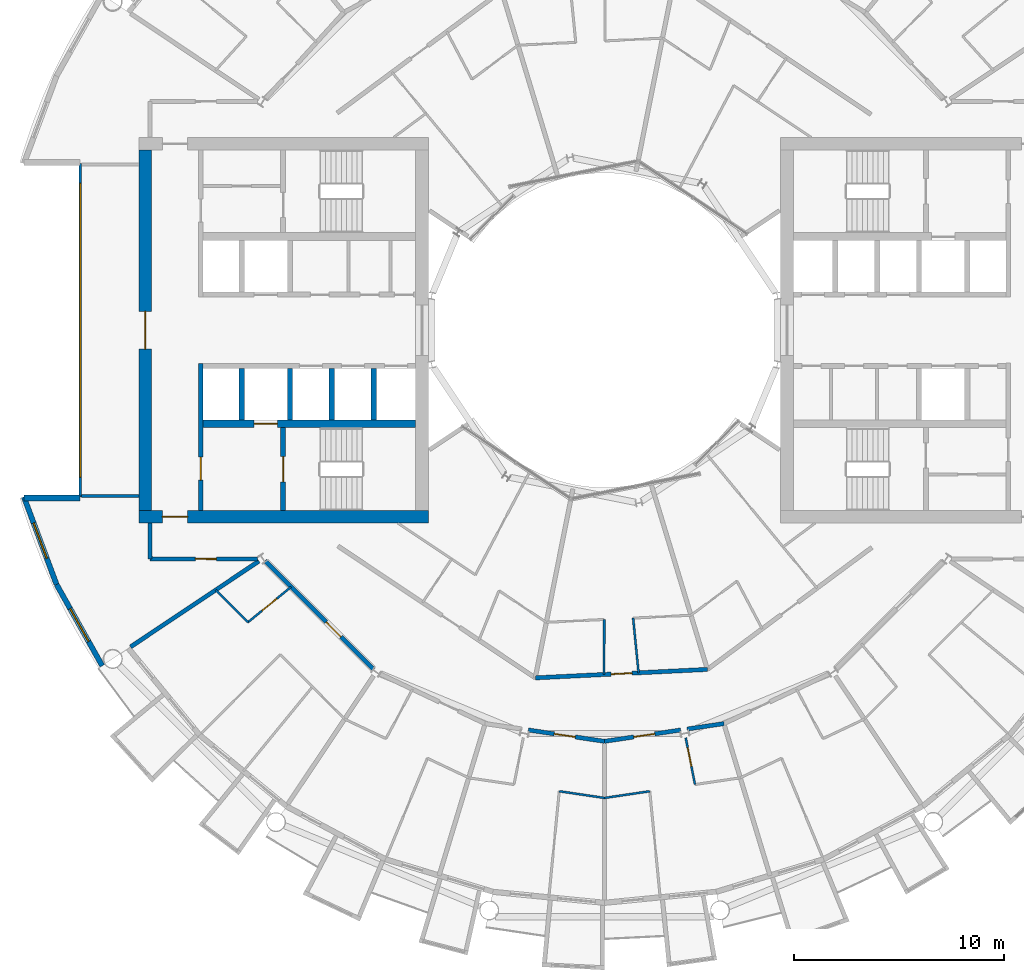
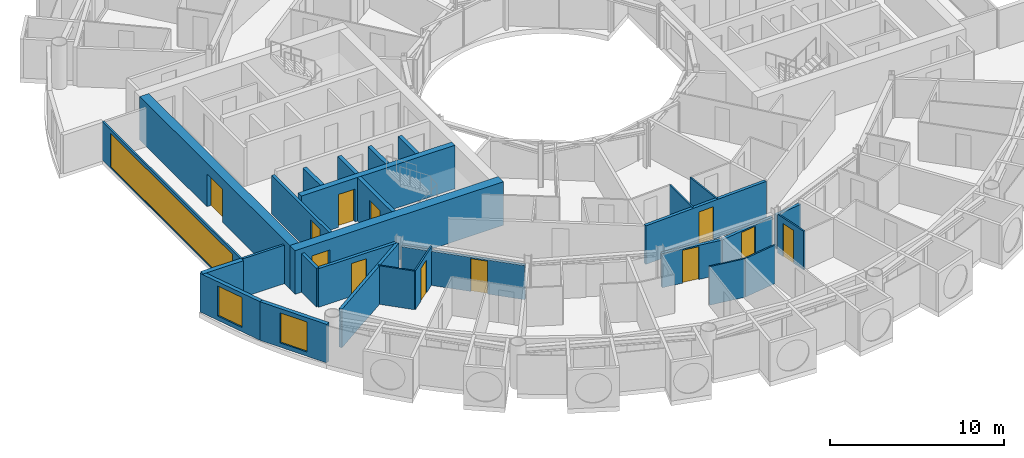
# One storey, part 15 of 26: 29 walls, 12 doors, 3 windows, 15 openings.
"""IFC4 building model written with IfcOpenShell, lengths in metres."""

from ifc_helpers import new_model, si_unit, direction, frame, frame_2d, origin, place, context, subcontext, project, spatial, rectangle, extrude, material, layer, layer_set, type_object, element, fill, save


model = new_model("IFC4")

# Units and contexts
model_context = context("Model", 3, precision=1e-05, world=origin(), true_north=direction((0.0, 1.0)))
body_context = subcontext(model_context, "Body", "Model", "MODEL_VIEW")
ifc_project = project(units=[si_unit("LENGTHUNIT", "METRE"), si_unit("AREAUNIT", "SQUARE_METRE"), si_unit("VOLUMEUNIT", "CUBIC_METRE"), si_unit("PLANEANGLEUNIT", "RADIAN"), si_unit("MASSUNIT", "GRAM", prefix="KILO")], contexts=[model_context])

# Site, building, storey
site_placement = place(None, origin())
site = spatial("IfcSite", under=ifc_project, at=site_placement, CompositionType="ELEMENT")
building_placement = place(site_placement, origin())
building = spatial("IfcBuilding", under=site, at=building_placement, Name="Maasbend Ring Residences", CompositionType="ELEMENT")
storey_placement = place(building_placement, frame((0.0, 0.0, 123.85009765625)))
storey = spatial("IfcBuildingStorey", under=building, at=storey_placement, Name="L35", CompositionType="ELEMENT", Elevation=123.85009765625)

# Wall, opening, door
ifc_material_1 = material(Name="Concrete C60/75", Category="concrete")
ifc_layer_1 = layer(ifc_material_1, 0.25)
ifc_layer_set_1 = layer_set([ifc_layer_1], Name="Concrete C60/75")
wall_type_1 = type_object("IfcWallType", Name="CORE WALL 250 C60/75", PredefinedType="SHEAR", material=ifc_layer_set_1)
wall_1_placement = place(storey_placement, frame((-15.324951171875, -4.64990234375, 0.0), z_axis=(0.0, 0.0, 1.0), x_axis=(0.0, -1.0, 0.0)))
wall_1 = element("IfcWall", 1, at=wall_1_placement, inside=storey, type_object=wall_type_1, Name="L35 core W wall STEN", PredefinedType="SHEAR", context=body_context, shape_type="SweptSolid", body=[
    extrude(rectangle(XDim=3.9501953125, YDim=0.25, at=frame_2d((1.97509765625, 0.0))), origin(), (0.0, 0.0, 1.0), 3.0498046875),
])
opening_1_placement = place(wall_1_placement, frame((1.375, 0.0, 0.0)))
opening_1 = element("IfcOpeningElement", 2, at=opening_1_placement, cuts=wall_1, Name="Opening D-W3510", PredefinedType="OPENING", context=body_context, shape_type="SweptSolid", body=[
    extrude(rectangle(XDim=1.199951171875, YDim=2.300048828125, at=frame_2d((0.60009765625, 1.14990234375))), frame((0.0, 0.135009765625, 0.0), z_axis=(0.0, -1.0, 0.0), x_axis=(1.0, 0.0, 0.0)), (0.0, 0.0, 1.0), 0.27001953125),
])
ifc_material_2 = material(Name="Steel, powder coated", Category="steel")
door_type_1 = type_object("IfcDoorType", Name="STAIR DOOR 1200 X 2300 FD60", OperationType="NOTDEFINED", PredefinedType="DOOR", material=ifc_material_2)
door_1_placement = place(opening_1_placement, origin())
door_1 = element("IfcDoor", 3, at=door_1_placement, inside=storey, type_object=door_type_1, Name="Stair door ST-W L35", OperationType="SINGLE_SWING_LEFT", OverallHeight=2.300048828125, OverallWidth=1.199951171875, PredefinedType="DOOR", context=body_context, shape_type="SweptSolid", body=[
    extrude(rectangle(XDim=1.199951171875, YDim=2.300048828125, at=frame_2d((0.60009765625, 1.14990234375))), frame((0.0, 0.02490234375, 0.0), z_axis=(0.0, -1.0, 0.0), x_axis=(1.0, 0.0, 0.0)), (0.0, 0.0, 1.0), 0.050048828125),
])
fill(opening_1, door_1)

ifc_material_3 = material(Name="Concrete C60/75", Category="concrete")
ifc_layer_2 = layer(ifc_material_3, 0.375)
ifc_layer_set_2 = layer_set([ifc_layer_2], Name="Concrete C60/75")
wall_type_2 = type_object("IfcWallType", Name="CORE WALL 375 C60/75", PredefinedType="SHEAR", material=ifc_layer_set_2)
wall_2_placement = place(storey_placement, frame((-9.0, -4.46240234375, 0.0), z_axis=(0.0, 0.0, 1.0), x_axis=(-1.0, 0.0, 0.0)))
wall_2 = element("IfcWall", 4, at=wall_2_placement, inside=storey, type_object=wall_type_2, Name="L35 core W wall BN", PredefinedType="SHEAR", context=body_context, shape_type="SweptSolid", body=[
    extrude(rectangle(XDim=10.14990234375, YDim=0.375, at=frame_2d((5.074951171875, 0.0))), origin(), (0.0, 0.0, 1.0), 3.0498046875),
])
opening_2_placement = place(wall_2_placement, frame((6.60009765625, 0.0, 0.0)))
opening_2 = element("IfcOpeningElement", 5, at=opening_2_placement, cuts=wall_2, Name="Opening LD-W3504", PredefinedType="OPENING", context=body_context, shape_type="SweptSolid", body=[
    extrude(rectangle(XDim=1.10009765625, YDim=2.300048828125, at=frame_2d((0.550048828125, 1.14990234375))), frame((0.0, 0.197509765625, 0.0), z_axis=(0.0, -1.0, 0.0), x_axis=(1.0, 0.0, 0.0)), (0.0, 0.0, 1.0), 0.39501953125),
])
ifc_material_4 = material(Name="Stainless steel 316", Category="steel")
door_type_2 = type_object("IfcDoorType", Name="LANDING DOOR 1100 X 2300 FD60", OperationType="DOUBLE_DOOR_SLIDING", PredefinedType="DOOR", material=ifc_material_4)
door_2_placement = place(opening_2_placement, origin())
door_2 = element("IfcDoor", 6, at=door_2_placement, inside=storey, type_object=door_type_2, Name="Landing door FF-W L35", OperationType="DOUBLE_DOOR_SLIDING", OverallHeight=2.300048828125, OverallWidth=1.10009765625, PredefinedType="DOOR", context=body_context, shape_type="SweptSolid", body=[
    extrude(rectangle(XDim=1.10009765625, YDim=2.300048828125, at=frame_2d((0.550048828125, 1.14990234375))), frame((0.0, 0.02490234375, 0.0), z_axis=(0.0, -1.0, 0.0), x_axis=(1.0, 0.0, 0.0)), (0.0, 0.0, 1.0), 0.050048828125),
])
fill(opening_2, door_2)

ifc_material_5 = material(Name="Concrete C60/75", Category="concrete")
ifc_layer_3 = layer(ifc_material_5, 0.60009765625)
ifc_layer_set_3 = layer_set([ifc_layer_3], Name="Concrete C60/75")
wall_type_3 = type_object("IfcWallType", Name="CORE WALL 600 C60/75", PredefinedType="SHEAR", material=ifc_layer_set_3)
wall_3_placement = place(storey_placement, frame((-22.199951171875, -8.89990234375, 0.0), z_axis=(0.0, 0.0, 1.0), x_axis=(1.0, 0.0, 0.0)))
wall_3 = element("IfcWall", 7, at=wall_3_placement, inside=storey, type_object=wall_type_3, Name="L35 core W wall PN", PredefinedType="SHEAR", context=body_context, shape_type="SweptSolid", body=[
    extrude(rectangle(XDim=13.800048828125, YDim=0.60009765625, at=frame_2d((6.89990234375, 0.0))), origin(), (0.0, 0.0, 1.0), 3.0498046875),
])
opening_3_placement = place(wall_3_placement, frame((1.125, 0.0, 0.0)))
opening_3 = element("IfcOpeningElement", 8, at=opening_3_placement, cuts=wall_3, Name="Opening D-W3514", PredefinedType="OPENING", context=body_context, shape_type="SweptSolid", body=[
    extrude(rectangle(XDim=1.199951171875, YDim=2.300048828125, at=frame_2d((0.60009765625, 1.14990234375))), frame((0.0, 0.31005859375, 0.0), z_axis=(0.0, -1.0, 0.0), x_axis=(1.0, 0.0, 0.0)), (0.0, 0.0, 1.0), 0.6201171875),
])
ifc_material_6 = material(Name="Steel, powder coated", Category="steel")
door_type_3 = type_object("IfcDoorType", Name="CORRIDOR DOOR 1200 X 2300 FD30S", OperationType="NOTDEFINED", PredefinedType="DOOR", material=ifc_material_6)
door_3_placement = place(opening_3_placement, origin())
door_3 = element("IfcDoor", 9, at=door_3_placement, inside=storey, type_object=door_type_3, Name="Corridor door L35", OperationType="SINGLE_SWING_RIGHT", OverallHeight=2.300048828125, OverallWidth=1.199951171875, PredefinedType="DOOR", context=body_context, shape_type="SweptSolid", body=[
    extrude(rectangle(XDim=1.199951171875, YDim=2.300048828125, at=frame_2d((0.60009765625, 1.14990234375))), frame((0.0, 0.02490234375, 0.0), z_axis=(0.0, -1.0, 0.0), x_axis=(1.0, 0.0, 0.0)), (0.0, 0.0, 1.0), 0.050048828125),
])
fill(opening_3, door_3)

wall_4_placement = place(storey_placement, frame((-21.89990234375, -8.60009765625, 0.0), z_axis=(0.0, 0.0, 1.0), x_axis=(0.0, 1.0, 0.0)))
wall_4 = element("IfcWall", 10, at=wall_4_placement, inside=storey, type_object=wall_type_3, Name="L35 core W wall POUT", PredefinedType="SHEAR", context=body_context, shape_type="SweptSolid", body=[
    extrude(rectangle(XDim=17.2001953125, YDim=0.60009765625, at=frame_2d((8.60009765625, 0.0))), origin(), (0.0, 0.0, 1.0), 3.0498046875),
])
opening_4_placement = place(wall_4_placement, frame((7.699951171875, 0.0, 0.0)))
opening_4 = element("IfcOpeningElement", 11, at=opening_4_placement, cuts=wall_4, Name="Opening D-W3516", PredefinedType="OPENING", context=body_context, shape_type="SweptSolid", body=[
    extrude(rectangle(XDim=1.800048828125, YDim=2.300048828125, at=frame_2d((0.89990234375, 1.14990234375))), frame((0.0, 0.31005859375, 0.0), z_axis=(0.0, -1.0, 0.0), x_axis=(1.0, 0.0, 0.0)), (0.0, 0.0, 1.0), 0.6201171875),
])
ifc_material_7 = material(Name="Aluminium frame, clear glass", Category="aluminium")
door_type_4 = type_object("IfcDoorType", Name="ENTRANCE DOOR 1800 X 2300 FD60", OperationType="NOTDEFINED", PredefinedType="DOOR", material=ifc_material_7)
door_4_placement = place(opening_4_placement, origin())
door_4 = element("IfcDoor", 12, at=door_4_placement, inside=storey, type_object=door_type_4, Name="Lobby glazed door L35", OperationType="SINGLE_SWING_LEFT", OverallHeight=2.300048828125, OverallWidth=1.800048828125, PredefinedType="DOOR", context=body_context, shape_type="SweptSolid", body=[
    extrude(rectangle(XDim=1.800048828125, YDim=2.300048828125, at=frame_2d((0.89990234375, 1.14990234375))), frame((0.0, 0.02490234375, 0.0), z_axis=(0.0, -1.0, 0.0), x_axis=(1.0, 0.0, 0.0)), (0.0, 0.0, 1.0), 0.050048828125),
])
fill(opening_4, door_4)

ifc_material_8 = material(Name="Concrete C30/37", Category="concrete")
ifc_layer_4 = layer(ifc_material_8, 0.199951171875)
ifc_layer_set_4 = layer_set([ifc_layer_4], Name="Concrete C30/37")
wall_type_4 = type_object("IfcWallType", Name="CORRIDOR WALL 200 CONCRETE", PredefinedType="PARTITIONING", material=ifc_layer_set_4)
wall_5_placement = place(storey_placement, frame((-3.635009765625, -19.06005859375, 0.0), z_axis=(0.0, 0.0, 1.0), x_axis=(0.989143454832, -0.146953141385, 0.0)))
wall_5 = element("IfcWall", 13, at=wall_5_placement, inside=storey, type_object=wall_type_4, Name="U-L35-w017", PredefinedType="PARTITIONING", context=body_context, shape_type="SweptSolid", body=[
    extrude(rectangle(XDim=3.6748046875, YDim=0.199951171875, at=frame_2d((1.83740234375, 0.0))), origin(), (0.0, 0.0, 1.0), 2.389892578125),
])
opening_5_placement = place(wall_5_placement, frame((1.258056640625, 0.0, 0.0)))
opening_5 = element("IfcOpeningElement", 14, at=opening_5_placement, cuts=wall_5, Name="Opening D-3539", PredefinedType="OPENING", context=body_context, shape_type="SweptSolid", body=[
    extrude(rectangle(XDim=1.0, YDim=2.300048828125, at=frame_2d((0.5, 1.14990234375))), frame((0.0, 0.10986328125, 0.0), z_axis=(0.0, -1.0, 0.0), x_axis=(1.0, 0.0, 0.0)), (0.0, 0.0, 1.0), 0.219970703125),
])
ifc_material_9 = material(Name="Timber, fire-rated, painted", Category="wood")
door_type_5 = type_object("IfcDoorType", Name="FLAT ENTRANCE DOOR 1000 X 2300 FIRE-RATED", OperationType="NOTDEFINED", PredefinedType="DOOR", material=ifc_material_9)
door_5_placement = place(opening_5_placement, origin())
door_5 = element("IfcDoor", 15, at=door_5_placement, inside=storey, type_object=door_type_5, Name="D-3539", OperationType="SINGLE_SWING_LEFT", OverallHeight=2.300048828125, OverallWidth=1.0, PredefinedType="DOOR", context=body_context, shape_type="SweptSolid", body=[
    extrude(rectangle(XDim=1.0, YDim=2.300048828125, at=frame_2d((0.5, 1.14990234375))), frame((0.0, 0.02490234375, 0.0), z_axis=(0.0, -1.0, 0.0), x_axis=(1.0, 0.0, 0.0)), (0.0, 0.0, 1.0), 0.050048828125),
])
fill(opening_5, door_5)

wall_6_placement = place(storey_placement, frame((0.0, -19.60009765625, 0.0), z_axis=(0.0, 0.0, 1.0), x_axis=(0.989143454832, 0.146953141385, 0.0)))
wall_6 = element("IfcWall", 16, at=wall_6_placement, inside=storey, type_object=wall_type_4, Name="U-L35-w018", PredefinedType="PARTITIONING", context=body_context, shape_type="SweptSolid", body=[
    extrude(rectangle(XDim=3.6748046875, YDim=0.199951171875, at=frame_2d((1.83740234375, 0.0))), origin(), (0.0, 0.0, 1.0), 2.389892578125),
])
opening_6_placement = place(wall_6_placement, frame((1.4169921875, 0.0, 0.0)))
opening_6 = element("IfcOpeningElement", 17, at=opening_6_placement, cuts=wall_6, Name="Opening D-3542", PredefinedType="OPENING", context=body_context, shape_type="SweptSolid", body=[
    extrude(rectangle(XDim=1.0, YDim=2.300048828125, at=frame_2d((0.5, 1.14990234375))), frame((0.0, 0.10986328125, 0.0), z_axis=(0.0, -1.0, 0.0), x_axis=(1.0, 0.0, 0.0)), (0.0, 0.0, 1.0), 0.219970703125),
])
door_6_placement = place(opening_6_placement, origin())
door_6 = element("IfcDoor", 18, at=door_6_placement, inside=storey, type_object=door_type_5, Name="D-3542", OperationType="SINGLE_SWING_RIGHT", OverallHeight=2.300048828125, OverallWidth=1.0, PredefinedType="DOOR", context=body_context, shape_type="SweptSolid", body=[
    extrude(rectangle(XDim=1.0, YDim=2.300048828125, at=frame_2d((0.5, 1.14990234375))), frame((0.0, 0.02490234375, 0.0), z_axis=(0.0, -1.0, 0.0), x_axis=(1.0, 0.0, 0.0)), (0.0, 0.0, 1.0), 0.050048828125),
])
fill(opening_6, door_6)

# Wall
wall_7_placement = place(storey_placement, frame((3.93896484375, -19.014892578125, 0.0), z_axis=(0.0, 0.0, 1.0), x_axis=(0.989227802256, 0.146384272531, 0.0)))
element("IfcWall", 19, at=wall_7_placement, inside=storey, type_object=wall_type_4, Name="U-L35-w019", PredefinedType="PARTITIONING", context=body_context, shape_type="SweptSolid", body=[
    extrude(rectangle(XDim=1.776123046875, YDim=0.199951171875, at=frame_2d((0.88818359375, 0.0))), origin(), (0.0, 0.0, 1.0), 2.389892578125),
])

# Wall, opening, door
wall_8_placement = place(storey_placement, frame((-16.18603515625, -11.0, 0.0), z_axis=(0.0, 0.0, 1.0), x_axis=(0.707106781187, -0.707106781187, 0.0)))
wall_8 = element("IfcWall", 20, at=wall_8_placement, inside=storey, type_object=wall_type_4, Name="U-L35-w021", PredefinedType="PARTITIONING", context=body_context, shape_type="SweptSolid", body=[
    extrude(rectangle(XDim=7.334228515625, YDim=0.199951171875, at=frame_2d((3.6669921875, 0.0))), origin(), (0.0, 0.0, 1.0), 2.389892578125),
])
opening_7_placement = place(wall_8_placement, frame((4.123046875, 0.0, 0.0)))
opening_7 = element("IfcOpeningElement", 21, at=opening_7_placement, cuts=wall_8, Name="Opening D-3532", PredefinedType="OPENING", context=body_context, shape_type="SweptSolid", body=[
    extrude(rectangle(XDim=1.0, YDim=2.300048828125, at=frame_2d((0.5, 1.14990234375))), frame((0.0, 0.10986328125, 0.0), z_axis=(0.0, -1.0, 0.0), x_axis=(1.0, 0.0, 0.0)), (0.0, 0.0, 1.0), 0.219970703125),
])
door_7_placement = place(opening_7_placement, origin())
door_7 = element("IfcDoor", 22, at=door_7_placement, inside=storey, type_object=door_type_5, Name="D-3532", OperationType="SINGLE_SWING_RIGHT", OverallHeight=2.300048828125, OverallWidth=1.0, PredefinedType="DOOR", context=body_context, shape_type="SweptSolid", body=[
    extrude(rectangle(XDim=1.0, YDim=2.300048828125, at=frame_2d((0.5, 1.14990234375))), frame((0.0, 0.02490234375, 0.0), z_axis=(0.0, -1.0, 0.0), x_axis=(1.0, 0.0, 0.0)), (0.0, 0.0, 1.0), 0.050048828125),
])
fill(opening_7, door_7)

wall_9_placement = place(storey_placement, frame((-3.297119140625, -16.574951171875, 0.0), z_axis=(0.0, 0.0, 1.0), x_axis=(0.998796706656, 0.0490422142, 0.0)))
wall_9 = element("IfcWall", 23, at=wall_9_placement, inside=storey, type_object=wall_type_4, Name="U-L35-w023", PredefinedType="PARTITIONING", context=body_context, shape_type="SweptSolid", body=[
    extrude(rectangle(XDim=8.2138671875, YDim=0.199951171875, at=frame_2d((4.10693359375, 0.0))), origin(), (0.0, 0.0, 1.0), 2.699951171875),
])
opening_8_placement = place(wall_9_placement, frame((3.614013671875, 0.0, 0.0)))
opening_8 = element("IfcOpeningElement", 24, at=opening_8_placement, cuts=wall_9, Name="Opening D-3556", PredefinedType="OPENING", context=body_context, shape_type="SweptSolid", body=[
    extrude(rectangle(XDim=1.0, YDim=2.300048828125, at=frame_2d((0.5, 1.14990234375))), frame((0.0, 0.10986328125, 0.0), z_axis=(0.0, -1.0, 0.0), x_axis=(1.0, 0.0, 0.0)), (0.0, 0.0, 1.0), 0.219970703125),
])
door_8_placement = place(opening_8_placement, origin())
door_8 = element("IfcDoor", 25, at=door_8_placement, inside=storey, type_object=door_type_5, Name="D-3556", OperationType="SINGLE_SWING_RIGHT", OverallHeight=2.300048828125, OverallWidth=1.0, PredefinedType="DOOR", context=body_context, shape_type="SweptSolid", body=[
    extrude(rectangle(XDim=1.0, YDim=2.300048828125, at=frame_2d((0.5, 1.14990234375))), frame((0.0, 0.02490234375, 0.0), z_axis=(0.0, -1.0, 0.0), x_axis=(1.0, 0.0, 0.0)), (0.0, 0.0, 1.0), 0.050048828125),
])
fill(opening_8, door_8)

wall_10_placement = place(storey_placement, frame((-21.675048828125, -10.89990234375, 0.0), z_axis=(0.0, 0.0, 1.0), x_axis=(0.999997173357, -0.002377662213, 0.0)))
wall_10 = element("IfcWall", 26, at=wall_10_placement, inside=storey, type_object=wall_type_4, Name="U-L35-w032", PredefinedType="PARTITIONING", context=body_context, shape_type="SweptSolid", body=[
    extrude(rectangle(XDim=5.134033203125, YDim=0.199951171875, at=frame_2d((2.56689453125, 0.0))), origin(), (0.0, 0.0, 1.0), 2.699951171875),
])
opening_9_placement = place(wall_10_placement, frame((2.1708984375, 0.0, 0.0)))
opening_9 = element("IfcOpeningElement", 27, at=opening_9_placement, cuts=wall_10, Name="Opening D-3563", PredefinedType="OPENING", context=body_context, shape_type="SweptSolid", body=[
    extrude(rectangle(XDim=1.0, YDim=2.300048828125, at=frame_2d((0.5, 1.14990234375))), frame((0.0, 0.10986328125, 0.0), z_axis=(0.0, -1.0, 0.0), x_axis=(1.0, 0.0, 0.0)), (0.0, 0.0, 1.0), 0.219970703125),
])
ifc_material_10 = material(Name="Timber, painted", Category="wood")
door_type_6 = type_object("IfcDoorType", Name="ROOM DOOR 1000 X 2300", OperationType="NOTDEFINED", PredefinedType="DOOR", material=ifc_material_10)
door_9_placement = place(opening_9_placement, origin())
door_9 = element("IfcDoor", 28, at=door_9_placement, inside=storey, type_object=door_type_6, Name="D-3563", OperationType="SINGLE_SWING_RIGHT", OverallHeight=2.300048828125, OverallWidth=1.0, PredefinedType="DOOR", context=body_context, shape_type="SweptSolid", body=[
    extrude(rectangle(XDim=1.0, YDim=2.300048828125, at=frame_2d((0.5, 1.14990234375))), frame((0.0, 0.02490234375, 0.0), z_axis=(0.0, -1.0, 0.0), x_axis=(1.0, 0.0, 0.0)), (0.0, 0.0, 1.0), 0.050048828125),
])
fill(opening_9, door_9)

# Wall
wall_11_placement = place(storey_placement, frame((-21.675048828125, -10.89990234375, 0.0), z_axis=(0.0, 0.0, 1.0), x_axis=(0.0, 1.0, 0.0)))
element("IfcWall", 29, at=wall_11_placement, inside=storey, type_object=wall_type_4, Name="U-L35-w117", PredefinedType="PARTITIONING", context=body_context, shape_type="SweptSolid", body=[
    extrude(rectangle(XDim=1.699951171875, YDim=0.199951171875, at=frame_2d((0.85009765625, 0.0))), origin(), (0.0, 0.0, 1.0), 2.699951171875),
])

# Wall, opening, window
ifc_material_11 = material(Name="Aluminium clad insulated panel", Category="aluminium")
ifc_layer_5 = layer(ifc_material_11, 0.25)
ifc_layer_set_5 = layer_set([ifc_layer_5], Name="EW-HORN")
wall_type_5 = type_object("IfcWallType", Name="EW-HORN", PredefinedType="SOLIDWALL", material=ifc_layer_set_5)
wall_12_placement = place(storey_placement, frame((-27.681884765625, -7.945068359375, 0.0), z_axis=(0.0, 0.0, 1.0), x_axis=(0.349247811493, -0.937030397675, 0.0)))
wall_12 = element("IfcWall", 30, at=wall_12_placement, inside=storey, type_object=wall_type_5, Name="Horn wall 3.1", PredefinedType="SOLIDWALL", context=body_context, shape_type="SweptSolid", body=[
    extrude(rectangle(XDim=4.4521484375, YDim=0.25, at=frame_2d((2.22607421875, 0.0))), origin(), (0.0, 0.0, 1.0), 2.699951171875),
])
opening_10_placement = place(wall_12_placement, frame((1.32666015625, 0.0, 0.300048828125)))
opening_10 = element("IfcOpeningElement", 31, at=opening_10_placement, cuts=wall_12, Name="Opening W-BX", PredefinedType="OPENING", context=body_context, shape_type="SweptSolid", body=[
    extrude(rectangle(XDim=1.800048828125, YDim=2.10009765625, at=frame_2d((0.89990234375, 1.050048828125))), frame((0.0, 0.135009765625, 0.0), z_axis=(0.0, -1.0, 0.0), x_axis=(1.0, 0.0, 0.0)), (0.0, 0.0, 1.0), 0.27001953125),
])
ifc_material_12 = material(Name="Aluminium and clear glass", Category="aluminium")
window_type_1 = type_object("IfcWindowType", Name="W-BX", PartitioningType="DOUBLE_PANEL_VERTICAL", PredefinedType="WINDOW", material=ifc_material_12)
window_1_placement = place(opening_10_placement, origin())
window_1 = element("IfcWindow", 32, at=window_1_placement, inside=storey, type_object=window_type_1, Name="Horn window 3.1", OverallHeight=2.10009765625, OverallWidth=1.800048828125, PartitioningType="SINGLE_PANEL", PredefinedType="WINDOW", context=body_context, shape_type="SweptSolid", body=[
    extrude(rectangle(XDim=1.800048828125, YDim=2.10009765625, at=frame_2d((0.89990234375, 1.050048828125))), frame((0.0, 0.030029296875, 0.0), z_axis=(0.0, -1.0, 0.0), x_axis=(1.0, 0.0, 0.0)), (0.0, 0.0, 1.0), 0.06005859375),
])
fill(opening_10, window_1)

wall_13_placement = place(storey_placement, frame((-26.126953125, -12.116943359375, 0.0), z_axis=(0.0, 0.0, 1.0), x_axis=(0.489696356642, -0.871893042919, 0.0)))
wall_13 = element("IfcWall", 33, at=wall_13_placement, inside=storey, type_object=wall_type_5, Name="Horn wall 3.2", PredefinedType="SOLIDWALL", context=body_context, shape_type="SweptSolid", body=[
    extrude(rectangle(XDim=4.45361328125, YDim=0.25, at=frame_2d((2.226806640625, 0.0))), origin(), (0.0, 0.0, 1.0), 2.699951171875),
])
opening_11_placement = place(wall_13_placement, frame((1.32666015625, 0.0, 0.300048828125)))
opening_11 = element("IfcOpeningElement", 34, at=opening_11_placement, cuts=wall_13, Name="Opening W-BX", PredefinedType="OPENING", context=body_context, shape_type="SweptSolid", body=[
    extrude(rectangle(XDim=1.800048828125, YDim=2.10009765625, at=frame_2d((0.89990234375, 1.050048828125))), frame((0.0, 0.135009765625, 0.0), z_axis=(0.0, -1.0, 0.0), x_axis=(1.0, 0.0, 0.0)), (0.0, 0.0, 1.0), 0.27001953125),
])
window_2_placement = place(opening_11_placement, origin())
window_2 = element("IfcWindow", 35, at=window_2_placement, inside=storey, type_object=window_type_1, Name="Horn window 3.2", OverallHeight=2.10009765625, OverallWidth=1.800048828125, PartitioningType="SINGLE_PANEL", PredefinedType="WINDOW", context=body_context, shape_type="SweptSolid", body=[
    extrude(rectangle(XDim=1.800048828125, YDim=2.10009765625, at=frame_2d((0.89990234375, 1.050048828125))), frame((0.0, 0.030029296875, 0.0), z_axis=(0.0, -1.0, 0.0), x_axis=(1.0, 0.0, 0.0)), (0.0, 0.0, 1.0), 0.06005859375),
])
fill(opening_11, window_2)

# Wall
ifc_material_13 = material(Name="Aluminium clad insulated panel", Category="aluminium")
ifc_layer_6 = layer(ifc_material_13, 0.300048828125)
ifc_layer_set_6 = layer_set([ifc_layer_6], Name="EW-RET")
wall_type_6 = type_object("IfcWallType", Name="EW-RET", PredefinedType="SOLIDWALL", material=ifc_layer_set_6)
wall_14_placement = place(storey_placement, frame((-25.0, -8.0, 0.0), z_axis=(0.0, 0.0, 1.0), x_axis=(-1.0, 0.0, 0.0)))
element("IfcWall", 36, at=wall_14_placement, inside=storey, type_object=wall_type_6, Name="Notch return wall west south", PredefinedType="SOLIDWALL", context=body_context, shape_type="SweptSolid", body=[
    extrude(rectangle(XDim=2.6669921875, YDim=0.300048828125, at=frame_2d((1.33349609375, 0.0))), origin(), (0.0, 0.0, 1.0), 2.699951171875),
])

# Wall, opening, window
ifc_material_14 = material(Name="Aluminium frame and clear glass", Category="aluminium")
ifc_layer_7 = layer(ifc_material_14, 0.1201171875)
ifc_layer_set_7 = layer_set([ifc_layer_7], Name="GLAZED SCREEN WALL 120 EI 60")
wall_type_7 = type_object("IfcWallType", Name="GLAZED SCREEN WALL 120 EI 60", PredefinedType="PARTITIONING", material=ifc_layer_set_7)
wall_15_placement = place(storey_placement, frame((-25.0, 7.949951171875, 0.0), z_axis=(0.0, 0.0, 1.0), x_axis=(0.0, -1.0, 0.0)))
wall_15 = element("IfcWall", 37, at=wall_15_placement, inside=storey, type_object=wall_type_7, Name="L35 core W wall FACE", PredefinedType="PARTITIONING", context=body_context, shape_type="SweptSolid", body=[
    extrude(rectangle(XDim=15.89990234375, YDim=0.1201171875, at=frame_2d((7.949951171875, 0.0))), origin(), (0.0, 0.0, 1.0), 2.699951171875),
])
opening_12_placement = place(wall_15_placement, frame((0.949951171875, 0.0, 0.10009765625)))
opening_12 = element("IfcOpeningElement", 38, at=opening_12_placement, cuts=wall_15, Name="Opening W-W3502", PredefinedType="OPENING", context=body_context, shape_type="SweptSolid", body=[
    extrude(rectangle(XDim=14.0, YDim=2.35009765625, at=frame_2d((7.0, 1.175048828125))), frame((0.0, 0.070068359375, 0.0), z_axis=(0.0, -1.0, 0.0), x_axis=(1.0, 0.0, 0.0)), (0.0, 0.0, 1.0), 0.14013671875),
])
ifc_material_15 = material(Name="Aluminium frame and clear glass", Category="aluminium")
window_type_2 = type_object("IfcWindowType", Name="FIXED WINDOW 14000 X 2350", PartitioningType="SINGLE_PANEL", PredefinedType="WINDOW", material=ifc_material_15)
window_3_placement = place(opening_12_placement, origin())
window_3 = element("IfcWindow", 39, at=window_3_placement, inside=storey, type_object=window_type_2, Name="Lobby window L35", OverallHeight=2.35009765625, OverallWidth=14.0, PartitioningType="SINGLE_PANEL", PredefinedType="WINDOW", context=body_context, shape_type="SweptSolid", body=[
    extrude(rectangle(XDim=14.0, YDim=2.35009765625, at=frame_2d((7.0, 1.175048828125))), frame((0.0, 0.030029296875, 0.0), z_axis=(0.0, -1.0, 0.0), x_axis=(1.0, 0.0, 0.0)), (0.0, 0.0, 1.0), 0.06005859375),
])
fill(opening_12, window_3)

# Walls
ifc_material_16 = material(Name="Gypsum board on steel studs", Category="steel")
ifc_layer_8 = layer(ifc_material_16, 0.10009765625)
ifc_layer_set_8 = layer_set([ifc_layer_8], Name="PARTITION 100 GYPSUM")
wall_type_8 = type_object("IfcWallType", Name="PARTITION 100 GYPSUM", PredefinedType="PARTITIONING", material=ifc_layer_set_8)
for number, where, z_axis, x_axis, name in (
    (40, (-2.158935546875, -21.97998046875, 0.0), (0.0, 0.0, 1.0), (0.989169170958, -0.146779941497, 0.0), "U-L35-w004"),
    (41, (0.001953125, -22.300048828125, 0.0), (0.0, 0.0, 1.0), (0.989169170958, 0.146779941497, 0.0), "U-L35-w005"),
):
    element("IfcWall", number, at=place(storey_placement, frame(where, z_axis=z_axis, x_axis=x_axis)), inside=storey, type_object=wall_type_8, Name=name, PredefinedType="PARTITIONING", context=body_context, shape_type="SweptSolid", body=[
        extrude(rectangle(XDim=2.1806640625, YDim=0.10009765625, at=frame_2d((1.09033203125, 0.0))), origin(), (0.0, 0.0, 1.0), 2.699951171875),
    ])
wall_16_placement = place(storey_placement, frame((-18.5419921875, -12.388916015625, 0.0), z_axis=(0.0, 0.0, 1.0), x_axis=(0.707106781187, -0.707106781187, 0.0)))
element("IfcWall", 42, at=wall_16_placement, inside=storey, type_object=wall_type_8, Name="U-L35-w009", PredefinedType="PARTITIONING", context=body_context, shape_type="SweptSolid", body=[
    extrude(rectangle(XDim=2.17529296875, YDim=0.10009765625, at=frame_2d((1.087646484375, 0.0))), origin(), (0.0, 0.0, 1.0), 2.699951171875),
])

# Wall, opening, door
wall_17_placement = place(storey_placement, frame((-17.00390625, -13.927001953125, 0.0), z_axis=(0.0, 0.0, 1.0), x_axis=(0.77367517848, 0.633582447834, 0.0)))
wall_17 = element("IfcWall", 43, at=wall_17_placement, inside=storey, type_object=wall_type_8, Name="U-L35-w044", PredefinedType="PARTITIONING", context=body_context, shape_type="SweptSolid", body=[
    extrude(rectangle(XDim=2.6611328125, YDim=0.10009765625, at=frame_2d((1.33056640625, 0.0))), origin(), (0.0, 0.0, 1.0), 2.699951171875),
])
opening_13_placement = place(wall_17_placement, frame((0.881103515625, 0.0, 0.0)))
opening_13 = element("IfcOpeningElement", 44, at=opening_13_placement, cuts=wall_17, Name="Opening D-3533", PredefinedType="OPENING", context=body_context, shape_type="SweptSolid", body=[
    extrude(rectangle(XDim=0.89990234375, YDim=2.300048828125, at=frame_2d((0.449951171875, 1.14990234375))), frame((0.0, 0.06005859375, 0.0), z_axis=(0.0, -1.0, 0.0), x_axis=(1.0, 0.0, 0.0)), (0.0, 0.0, 1.0), 0.1201171875),
])
ifc_material_17 = material(Name="Timber, painted", Category="wood")
door_type_7 = type_object("IfcDoorType", Name="INTERNAL DOOR 900 X 2300", OperationType="NOTDEFINED", PredefinedType="DOOR", material=ifc_material_17)
door_10_placement = place(opening_13_placement, origin())
door_10 = element("IfcDoor", 45, at=door_10_placement, inside=storey, type_object=door_type_7, Name="D-3533", OperationType="SINGLE_SWING_RIGHT", OverallHeight=2.300048828125, OverallWidth=0.89990234375, PredefinedType="DOOR", context=body_context, shape_type="SweptSolid", body=[
    extrude(rectangle(XDim=0.89990234375, YDim=2.300048828125, at=frame_2d((0.449951171875, 1.14990234375))), frame((0.0, 0.02490234375, 0.0), z_axis=(0.0, -1.0, 0.0), x_axis=(1.0, 0.0, 0.0)), (0.0, 0.0, 1.0), 0.050048828125),
])
fill(opening_13, door_10)

# Walls
wall_18_placement = place(storey_placement, frame((-0.01611328125, -16.4140625, 0.0), z_axis=(0.0, 0.0, 1.0), x_axis=(0.001210427419, 0.999999267432, 0.0)))
element("IfcWall", 46, at=wall_18_placement, inside=storey, type_object=wall_type_8, Name="U-L35-w064", PredefinedType="PARTITIONING", context=body_context, shape_type="SweptSolid", body=[
    extrude(rectangle(XDim=2.6220703125, YDim=0.10009765625, at=frame_2d((1.31103515625, 0.0))), origin(), (0.0, 0.0, 1.0), 2.699951171875),
])
wall_19_placement = place(storey_placement, frame((1.364990234375, -13.72412109375, 0.0), z_axis=(0.0, 0.0, 1.0), x_axis=(0.099171803948, -0.995070325807, 0.0)))
element("IfcWall", 47, at=wall_19_placement, inside=storey, type_object=wall_type_8, Name="U-L35-w068", PredefinedType="PARTITIONING", context=body_context, shape_type="SweptSolid", body=[
    extrude(rectangle(XDim=2.621826171875, YDim=0.10009765625, at=frame_2d((1.31103515625, 0.0))), origin(), (0.0, 0.0, 1.0), 2.699951171875),
])

# Wall, opening, door
wall_20_placement = place(storey_placement, frame((3.8720703125, -19.43408203125, 0.0), z_axis=(0.0, 0.0, 1.0), x_axis=(0.195557580153, -0.980692221262, 0.0)))
wall_20 = element("IfcWall", 48, at=wall_20_placement, inside=storey, type_object=wall_type_8, Name="U-L35-w075", PredefinedType="PARTITIONING", context=body_context, shape_type="SweptSolid", body=[
    extrude(rectangle(XDim=2.26953125, YDim=0.10009765625, at=frame_2d((1.134765625, 0.0))), origin(), (0.0, 0.0, 1.0), 2.699951171875),
])
opening_14_placement = place(wall_20_placement, frame((0.48291015625, 0.0, 0.0)))
opening_14 = element("IfcOpeningElement", 49, at=opening_14_placement, cuts=wall_20, Name="Opening D-3543", PredefinedType="OPENING", context=body_context, shape_type="SweptSolid", body=[
    extrude(rectangle(XDim=0.89990234375, YDim=2.300048828125, at=frame_2d((0.449951171875, 1.14990234375))), frame((0.0, 0.06005859375, 0.0), z_axis=(0.0, -1.0, 0.0), x_axis=(1.0, 0.0, 0.0)), (0.0, 0.0, 1.0), 0.1201171875),
])
door_11_placement = place(opening_14_placement, origin())
door_11 = element("IfcDoor", 50, at=door_11_placement, inside=storey, type_object=door_type_7, Name="D-3543", OperationType="SINGLE_SWING_LEFT", OverallHeight=2.300048828125, OverallWidth=0.89990234375, PredefinedType="DOOR", context=body_context, shape_type="SweptSolid", body=[
    extrude(rectangle(XDim=0.89990234375, YDim=2.300048828125, at=frame_2d((0.449951171875, 1.14990234375))), frame((0.0, 0.02490234375, 0.0), z_axis=(0.0, -1.0, 0.0), x_axis=(1.0, 0.0, 0.0)), (0.0, 0.0, 1.0), 0.050048828125),
])
fill(opening_14, door_11)

# Walls
ifc_material_18 = material(Name="Gypsum board on steel studs", Category="steel")
ifc_layer_9 = layer(ifc_material_18, 0.14990234375)
ifc_layer_set_9 = layer_set([ifc_layer_9], Name="PARTITION 150 EI 60")
wall_type_9 = type_object("IfcWallType", Name="PARTITION 150 EI 60", PredefinedType="PARTITIONING", material=ifc_layer_set_9)
wall_21_placement = place(storey_placement, frame((-22.199951171875, -7.89990234375, 0.0), z_axis=(0.0, 0.0, 1.0), x_axis=(-1.0, 0.0, 0.0)))
element("IfcWall", 51, at=wall_21_placement, inside=storey, type_object=wall_type_9, Name="L35 core W wall CITN", PredefinedType="PARTITIONING", context=body_context, shape_type="SweptSolid", body=[
    extrude(rectangle(XDim=2.739990234375, YDim=0.14990234375, at=frame_2d((1.3701171875, 0.0))), origin(), (0.0, 0.0, 1.0), 2.699951171875),
])
ifc_material_19 = material(Name="Concrete C30/37", Category="concrete")
ifc_layer_10 = layer(ifc_material_19, 0.199951171875)
ifc_layer_set_10 = layer_set([ifc_layer_10], Name="Concrete C30/37")
wall_type_10 = type_object("IfcWallType", Name="PARTY WALL 200 CONCRETE", PredefinedType="PARTITIONING", material=ifc_layer_set_10)
wall_22_placement = place(storey_placement, frame((-22.594970703125, -15.096923828125, 0.0), z_axis=(0.0, 0.0, 1.0), x_axis=(0.831467903109, 0.555572791, 0.0)))
element("IfcWall", 52, at=wall_22_placement, inside=storey, type_object=wall_type_10, Name="U-L35-w038", PredefinedType="PARTITIONING", context=body_context, shape_type="SweptSolid", body=[
    extrude(rectangle(XDim=7.35791015625, YDim=0.199951171875, at=frame_2d((3.678955078125, 0.0))), origin(), (0.0, 0.0, 1.0), 2.699951171875),
])

# Wall, opening, door
ifc_material_20 = material(Name="Concrete C30/37", Category="concrete")
ifc_layer_11 = layer(ifc_material_20, 0.199951171875)
ifc_layer_set_11 = layer_set([ifc_layer_11], Name="Concrete C30/37")
wall_type_11 = type_object("IfcWallType", Name="SHAFT WALL 200 EI 120", PredefinedType="SOLIDWALL", material=ifc_layer_set_11)
wall_23_placement = place(storey_placement, frame((-19.25, -1.574951171875, 0.0), z_axis=(0.0, 0.0, 1.0), x_axis=(0.0, -1.0, 0.0)))
wall_23 = element("IfcWall", 53, at=wall_23_placement, inside=storey, type_object=wall_type_11, Name="L35 core W wall ENDN", PredefinedType="SOLIDWALL", context=body_context, shape_type="SweptSolid", body=[
    extrude(rectangle(XDim=7.025146484375, YDim=0.199951171875, at=frame_2d((3.5126953125, 0.0))), origin(), (0.0, 0.0, 1.0), 2.699951171875),
])
opening_15_placement = place(wall_23_placement, frame((4.47509765625, 0.0, 0.0)))
opening_15 = element("IfcOpeningElement", 54, at=opening_15_placement, cuts=wall_23, Name="Opening D-W3512", PredefinedType="OPENING", context=body_context, shape_type="SweptSolid", body=[
    extrude(rectangle(XDim=1.10009765625, YDim=2.300048828125, at=frame_2d((0.550048828125, 1.14990234375))), frame((0.0, 0.10986328125, 0.0), z_axis=(0.0, -1.0, 0.0), x_axis=(1.0, 0.0, 0.0)), (0.0, 0.0, 1.0), 0.219970703125),
])
ifc_material_21 = material(Name="Steel, powder coated", Category="steel")
door_type_8 = type_object("IfcDoorType", Name="LOBBY DOOR 1100 X 2300 FD60", OperationType="NOTDEFINED", PredefinedType="DOOR", material=ifc_material_21)
door_12_placement = place(opening_15_placement, origin())
door_12 = element("IfcDoor", 55, at=door_12_placement, inside=storey, type_object=door_type_8, Name="Lobby door L35", OperationType="SINGLE_SWING_LEFT", OverallHeight=2.300048828125, OverallWidth=1.10009765625, PredefinedType="DOOR", context=body_context, shape_type="SweptSolid", body=[
    extrude(rectangle(XDim=1.10009765625, YDim=2.300048828125, at=frame_2d((0.550048828125, 1.14990234375))), frame((0.0, 0.02490234375, 0.0), z_axis=(0.0, -1.0, 0.0), x_axis=(1.0, 0.0, 0.0)), (0.0, 0.0, 1.0), 0.050048828125),
])
fill(opening_15, door_12)

# Walls
ifc_material_22 = material(Name="Concrete C30/37", Category="concrete")
ifc_layer_12 = layer(ifc_material_22, 0.25)
ifc_layer_set_12 = layer_set([ifc_layer_12], Name="Concrete C30/37")
wall_type_12 = type_object("IfcWallType", Name="SHAFT WALL 250 EI 120", PredefinedType="SOLIDWALL", material=ifc_layer_set_12)
for number, where, z_axis, x_axis, name in (
    (56, (-15.0, -1.824951171875, 0.0), (0.0, 0.0, 1.0), (0.0, -1.0, 0.0), "L35 core W wall D150N"),
    (57, (-17.300048828125, -1.824951171875, 0.0), (0.0, 0.0, 1.0), (0.0, -1.0, 0.0), "L35 core W wall D173N"),
    (58, (-11.0, -1.824951171875, 0.0), (0.0, 0.0, 1.0), (0.0, -1.0, 0.0), "L35 core W wall D110N"),
    (59, (-13.0, -1.824951171875, 0.0), (0.0, 0.0, 1.0), (0.0, -1.0, 0.0), "L35 core W wall D130N"),
):
    element("IfcWall", number, at=place(storey_placement, frame(where, z_axis=z_axis, x_axis=x_axis)), inside=storey, type_object=wall_type_12, Name=name, PredefinedType="SOLIDWALL", context=body_context, shape_type="SweptSolid", body=[
        extrude(rectangle(XDim=2.449951171875, YDim=0.25, at=frame_2d((1.22509765625, 0.0))), origin(), (0.0, 0.0, 1.0), 2.699951171875),
    ])

save(model, "model.ifc")
